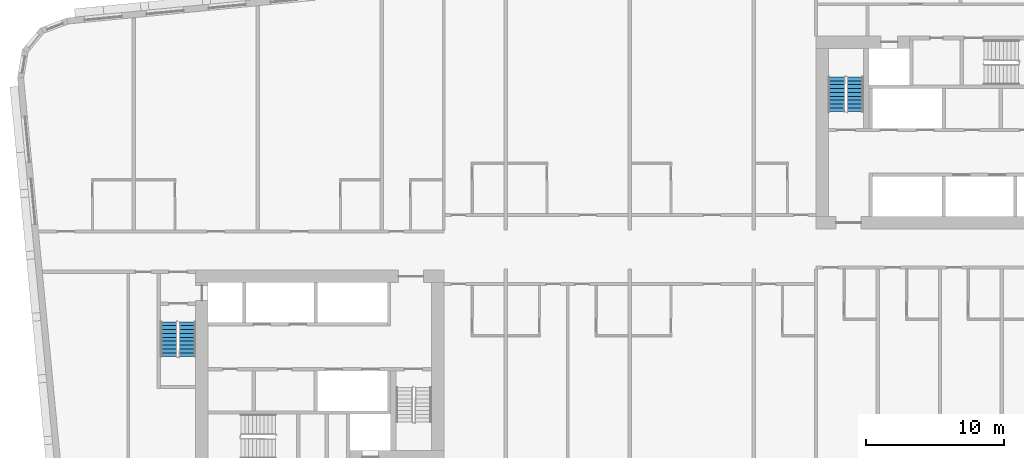
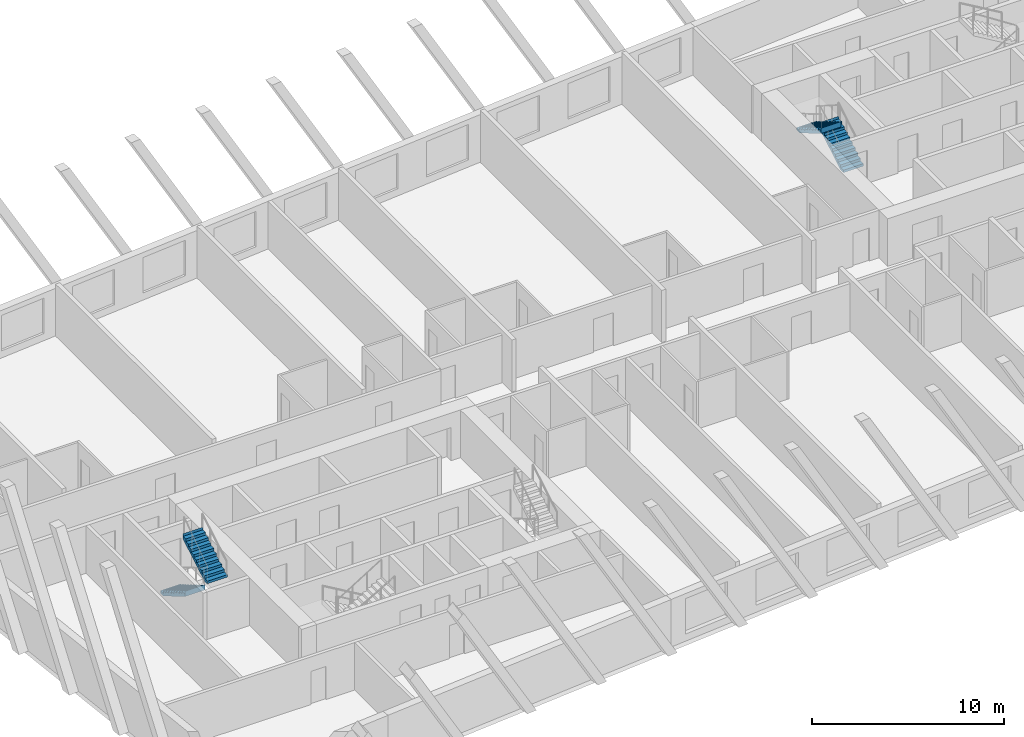
# One storey, part 10 of 13: 4 stair flights, 2 elements without a shape of their own.
"""IFC4 building model written with IfcOpenShell, lengths in metres."""

import ifcopenshell
import ifcopenshell.guid

model = None  # the IFC model being written
_history = None  # IfcOwnerHistory: only IFC2X3 demands one
_inside = {}  # id of a spatial element -> (the spatial element, [elements in it])
_under = {}  # id of a project, library or spatial element -> (it, [spatial elements below it])
_declared = {}  # id of a project -> (the project, [libraries it declares])
_typed = {}  # id of a type object -> (the type object, [elements of that type])
_made_of = {}  # id of a material, layer set ... -> (it, [elements and type objects made of it])


def new_model(schema):
    """Start an empty IFC model of exactly this schema.

    Asked for "IFC4X3", IfcOpenShell would pick the latest addendum, in which some entities
    have other attributes; the version numbers below select the first issue.
    IFC2X3 requires an IfcOwnerHistory on every rooted entity: one is made here for all.
    """
    global model, _history
    if schema == "IFC4X3":
        model = ifcopenshell.file(schema_version=(4, 3, 0, 0))
    else:
        model = ifcopenshell.file(schema=schema)
    _inside.clear()
    _under.clear()
    _declared.clear()
    _typed.clear()
    _made_of.clear()
    _history = None
    if model.schema == "IFC2X3":
        org = make("IfcOrganization", Name="unknown")
        user = make(
            "IfcPersonAndOrganization",
            ThePerson=make("IfcPerson", FamilyName="unknown"),
            TheOrganization=org,
        )
        app = make(
            "IfcApplication",
            ApplicationDeveloper=org,
            Version="unknown",
            ApplicationFullName="unknown",
            ApplicationIdentifier="unknown",
        )
        _history = make(
            "IfcOwnerHistory",
            OwningUser=user,
            OwningApplication=app,
            ChangeAction="ADDED",
            CreationDate=0,
        )
    return model


def make(cls, **values):
    """One entity of the class cls with the attributes given. An attribute that is None is left unset."""
    return model.create_entity(
        cls, **{name: value for name, value in values.items() if value is not None}
    )


def rooted(cls, **values):
    """An entity with a GlobalId (a new one), such as an element, a storey or a relation."""
    return make(cls, GlobalId=ifcopenshell.guid.new(), OwnerHistory=_history, **values)


def si_unit(unit_type, name, prefix=None):
    """IfcSIUnit, for example si_unit("LENGTHUNIT", "METRE", prefix="MILLI")."""
    return make("IfcSIUnit", UnitType=unit_type, Prefix=prefix, Name=name)


def assignment(units):
    """IfcUnitAssignment: the units of a project."""
    return None if units is None else make("IfcUnitAssignment", Units=units)


def point(xyz):
    """IfcCartesianPoint."""
    return None if xyz is None else make("IfcCartesianPoint", Coordinates=xyz)


def direction(xyz):
    """IfcDirection."""
    return None if xyz is None else make("IfcDirection", DirectionRatios=xyz)


def frame(location, z_axis=None, x_axis=None):
    """IfcAxis2Placement3D, a coordinate frame: its origin and axes. An axis left out is left unset."""
    return make(
        "IfcAxis2Placement3D",
        Location=point(location),
        Axis=direction(z_axis),
        RefDirection=direction(x_axis),
    )


def origin():
    """The frame at (0, 0, 0) with its axes left unset."""
    return frame((0.0, 0.0, 0.0))


def place(relative_to, where):
    """IfcLocalPlacement: puts the frame where relative to a parent placement (None: the world)."""
    return make(
        "IfcLocalPlacement", PlacementRelTo=relative_to, RelativePlacement=where
    )


def context(
    kind, dimensions, precision=None, world=None, true_north=None, identifier=None
):
    """IfcGeometricRepresentationContext, for example the 3D "Model" context."""
    return make(
        "IfcGeometricRepresentationContext",
        ContextIdentifier=identifier,
        ContextType=kind,
        CoordinateSpaceDimension=dimensions,
        Precision=precision,
        WorldCoordinateSystem=world,
        TrueNorth=true_north,
    )


def subcontext(parent, identifier, kind, view, scale=None):
    """IfcGeometricRepresentationSubContext, for example "Body" below "Model"."""
    return make(
        "IfcGeometricRepresentationSubContext",
        ContextIdentifier=identifier,
        ContextType=kind,
        ParentContext=parent,
        TargetScale=scale,
        TargetView=view,
    )


def project(units=None, contexts=None):
    """IfcProject with its units and contexts."""
    return rooted(
        "IfcProject",
        Name="project",
        RepresentationContexts=contexts,
        UnitsInContext=assignment(units),
    )


def spatial(cls, under=None, at=None, **own):
    """A site, building, storey or space (cls), placed at a placement, below another one or the project."""
    s = rooted(cls, ObjectPlacement=at, **own)
    if under is not None:
        _under.setdefault(under.id(), (under, []))[1].append(s)
    return s


def faces_of(points, faces, orient=None, outer=None):
    """IfcFace entities. A face is a list of loops; a loop is a list of indices into points, from 0.

    orient and outer hold one flag for each loop. By default every Orientation is true, the
    first loop of a face is its IfcFaceOuterBound and the others are IfcFaceBound.
    """
    made = []
    for i, loops in enumerate(faces):
        bounds = []
        for j, loop in enumerate(loops):
            is_outer = j == 0 if outer is None else outer[i][j]
            bounds.append(
                make(
                    "IfcFaceOuterBound" if is_outer else "IfcFaceBound",
                    Bound=make("IfcPolyLoop", Polygon=[points[k] for k in loop]),
                    Orientation=True if orient is None else orient[i][j],
                )
            )
        made.append(make("IfcFace", Bounds=bounds))
    return made


def faceted_brep(points, faces, orient=None, outer=None, voids=None):
    """IfcFacetedBrep: a solid bounded by flat faces; with voids (closed shells), ...WithVoids."""
    shared = [point(p) for p in points]
    hull = make("IfcClosedShell", CfsFaces=faces_of(shared, faces, orient, outer))
    if voids is None:
        return make("IfcFacetedBrep", Outer=hull)
    return make(
        "IfcFacetedBrepWithVoids",
        Outer=hull,
        Voids=[
            make(cls, CfsFaces=faces_of(shared, fs, o, b)) for cls, fs, o, b in voids
        ],
    )


def shape(context_of_items, identifier, shape_type, items):
    """IfcShapeRepresentation: the items that make up one representation, for example the "Body"."""
    return make(
        "IfcShapeRepresentation",
        ContextOfItems=context_of_items,
        RepresentationIdentifier=identifier,
        RepresentationType=shape_type,
        Items=items,
    )


def material(Name=None, Category=None):
    """IfcMaterial."""
    return make("IfcMaterial", Name=Name, Category=Category)


def made_of(thing, what):
    """Note that an element or type object is made of a material, layer set ...; save() writes the relation."""
    if what is not None:
        _made_of.setdefault(what.id(), (what, []))[1].append(thing)
    return thing


def type_object(cls, material=None, **own):
    """A type object (cls), such as IfcWallType, which elements share."""
    return made_of(rooted(cls, **own), material)


def element(
    cls,
    number,
    at=None,
    inside=None,
    cuts=None,
    type_object=None,
    material=None,
    context=None,
    identifier="Body",
    shape_type=None,
    held_by="IfcProductDefinitionShape",
    body=None,
    shapes=None,
    **own,
):
    """One element of the class cls, such as IfcWall. Its Tag is "e" and its number.

    at: its placement. inside: the storey or other place that contains it. cuts: it is an
    opening in that element (IfcRelVoidsElement). A single representation is given by context,
    identifier, shape_type and body (its items); several are given by shapes. held_by: the class
    of the entity that holds the representations. save() writes the other relations.
    """
    e = rooted(cls, Tag="e%d" % number, ObjectPlacement=at, **own)
    if body is not None:
        shapes = [shape(context, identifier, shape_type, body)]
    if shapes is not None:
        e.Representation = make(held_by, Representations=shapes)
    if inside is not None:
        _inside.setdefault(inside.id(), (inside, []))[1].append(e)
    if cuts is not None:
        rooted(
            "IfcRelVoidsElement", RelatingBuildingElement=cuts, RelatedOpeningElement=e
        )
    if type_object is not None:
        _typed.setdefault(type_object.id(), (type_object, []))[1].append(e)
    return made_of(e, material)


def aggregate(whole, parts):
    """IfcRelAggregates: a whole, such as a stair, and the parts it consists of."""
    return rooted("IfcRelAggregates", RelatingObject=whole, RelatedObjects=parts)


def save(model, path):
    """Write the relations noted so far, then the file.

    IfcRelAggregates (storeys below a building ...), IfcRelContainedInSpatialStructure (elements
    in a storey), IfcRelDefinesByType, IfcRelAssociatesMaterial and IfcRelDeclares: one each for
    every whole, place, type object, material and project.
    """
    for whole, parts in _under.values():
        aggregate(whole, parts)
    for where, things in _inside.values():
        rooted(
            "IfcRelContainedInSpatialStructure",
            RelatedElements=things,
            RelatingStructure=where,
        )
    for kind, things in _typed.values():
        rooted("IfcRelDefinesByType", RelatedObjects=things, RelatingType=kind)
    for what, things in _made_of.values():
        rooted("IfcRelAssociatesMaterial", RelatedObjects=things, RelatingMaterial=what)
    for by, libraries in _declared.values():
        rooted("IfcRelDeclares", RelatingContext=by, RelatedDefinitions=libraries)
    model.write(path)


model = new_model("IFC4")

# Units and contexts
model_context = context("Model", 3, precision=1e-05, world=origin(), true_north=direction((0.0, 1.0)))
body_context = subcontext(model_context, "Body", "Model", "MODEL_VIEW")
ifc_project = project(units=[si_unit("LENGTHUNIT", "METRE"), si_unit("AREAUNIT", "SQUARE_METRE"), si_unit("VOLUMEUNIT", "CUBIC_METRE"), si_unit("PLANEANGLEUNIT", "RADIAN"), si_unit("MASSUNIT", "GRAM", prefix="KILO")], contexts=[model_context])

# Site, building, storey
site_placement = place(None, origin())
site = spatial("IfcSite", under=ifc_project, at=site_placement, CompositionType="ELEMENT")
building_placement = place(site_placement, origin())
building = spatial("IfcBuilding", under=site, at=building_placement, Name="Kajstack Hotel Tower", CompositionType="ELEMENT")
storey_placement = place(building_placement, frame((0.0, 0.0, 186.699951171875)))
storey = spatial("IfcBuildingStorey", under=building, at=storey_placement, Name="L44", CompositionType="ELEMENT", Elevation=186.699951171875)

# Stair, stair flights
ifc_material = material(Name="Concrete C40/50", Category="concrete")
stair_type = type_object("IfcStairType", Name="Exit stair 1200", PredefinedType="HALF_TURN_STAIR", material=ifc_material)
stair_1_placement = place(storey_placement, origin())
stair_1 = element("IfcStair", 1, at=stair_1_placement, inside=storey, type_object=stair_type, Name="L44 stair W1", PredefinedType="HALF_TURN_STAIR")
stair_flight_type = type_object("IfcStairFlightType", Name="Exit stair flight 1200", PredefinedType="STRAIGHT", material=ifc_material)
stair_flight_1_placement = place(storey_placement, frame((-33.449951171875, -5.25, 0.0), z_axis=(0.0, 0.0, 1.0), x_axis=(0.0, -1.0, 0.0)))
stair_flight_1 = element("IfcStairFlight", 2, at=stair_flight_1_placement, type_object=stair_flight_type, Name="W1 flight 1", NumberOfRisers=10, NumberOfTreads=9, PredefinedType="STRAIGHT", RiserHeight=0.165, TreadLength=0.28, context=body_context, shape_type="Brep", body=[
    faceted_brep([(0.295654296875, -0.60009765625, 0.0), (2.5205078125, -0.60009765625, 1.31103515625), (2.5205078125, -0.60009765625, 1.64990234375), (2.52001953125, -0.60009765625, 1.64990234375), (2.52001953125, -0.60009765625, 1.485107421875), (2.239990234375, -0.60009765625, 1.485107421875), (2.239990234375, -0.60009765625, 1.320068359375), (1.9599609375, -0.60009765625, 1.320068359375), (1.9599609375, -0.60009765625, 1.155029296875), (1.679931640625, -0.60009765625, 1.155029296875), (1.679931640625, -0.60009765625, 0.989990234375), (1.39990234375, -0.60009765625, 0.989990234375), (1.39990234375, -0.60009765625, 0.824951171875), (1.1201171875, -0.60009765625, 0.824951171875), (1.1201171875, -0.60009765625, 0.659912109375), (0.840087890625, -0.60009765625, 0.659912109375), (0.840087890625, -0.60009765625, 0.4951171875), (0.56005859375, -0.60009765625, 0.4951171875), (0.56005859375, -0.60009765625, 0.330078125), (0.280029296875, -0.60009765625, 0.330078125), (0.280029296875, -0.60009765625, 0.1650390625), (-0.00048828125, -0.60009765625, 0.1650390625), (-0.00048828125, -0.60009765625, 0.0), (-0.00048828125, 0.60009765625, 0.0), (-0.00048828125, 0.60009765625, 0.1650390625), (0.280029296875, 0.60009765625, 0.1650390625), (0.280029296875, 0.60009765625, 0.330078125), (0.56005859375, 0.60009765625, 0.330078125), (0.56005859375, 0.60009765625, 0.4951171875), (0.840087890625, 0.60009765625, 0.4951171875), (0.840087890625, 0.60009765625, 0.659912109375), (1.1201171875, 0.60009765625, 0.659912109375), (1.1201171875, 0.60009765625, 0.824951171875), (1.39990234375, 0.60009765625, 0.824951171875), (1.39990234375, 0.60009765625, 0.989990234375), (1.679931640625, 0.60009765625, 0.989990234375), (1.679931640625, 0.60009765625, 1.155029296875), (1.9599609375, 0.60009765625, 1.155029296875), (1.9599609375, 0.60009765625, 1.320068359375), (2.239990234375, 0.60009765625, 1.320068359375), (2.239990234375, 0.60009765625, 1.485107421875), (2.52001953125, 0.60009765625, 1.485107421875), (2.52001953125, 0.60009765625, 1.64990234375), (2.5205078125, 0.60009765625, 1.64990234375), (2.5205078125, 0.60009765625, 1.31103515625), (0.295654296875, 0.60009765625, 0.0), (-0.00048828125, -0.300048828125, 0.1650390625), (-0.00048828125, 0.0, 0.1650390625), (-0.00048828125, 0.300048828125, 0.1650390625), (-0.00048828125, 0.300048828125, 0.0), (-0.00048828125, 0.0, 0.0), (-0.00048828125, -0.300048828125, 0.0), (0.280029296875, -0.300048828125, 0.1650390625), (0.280029296875, 0.0, 0.1650390625), (0.280029296875, 0.300048828125, 0.1650390625), (0.280029296875, -0.300048828125, 0.330078125), (0.280029296875, 0.0, 0.330078125), (0.280029296875, 0.300048828125, 0.330078125), (0.56005859375, -0.300048828125, 0.330078125), (0.56005859375, 0.0, 0.330078125), (0.56005859375, 0.300048828125, 0.330078125), (0.56005859375, -0.300048828125, 0.4951171875), (0.56005859375, 0.0, 0.4951171875), (0.56005859375, 0.300048828125, 0.4951171875), (0.840087890625, -0.300048828125, 0.4951171875), (0.840087890625, 0.0, 0.4951171875), (0.840087890625, 0.300048828125, 0.4951171875), (0.840087890625, -0.300048828125, 0.659912109375), (0.840087890625, 0.0, 0.659912109375), (0.840087890625, 0.300048828125, 0.659912109375), (1.1201171875, -0.300048828125, 0.659912109375), (1.1201171875, 0.0, 0.659912109375), (1.1201171875, 0.300048828125, 0.659912109375), (1.1201171875, -0.300048828125, 0.824951171875), (1.1201171875, 0.0, 0.824951171875), (1.1201171875, 0.300048828125, 0.824951171875), (1.39990234375, -0.300048828125, 0.824951171875), (1.39990234375, 0.0, 0.824951171875), (1.39990234375, 0.300048828125, 0.824951171875), (1.39990234375, -0.300048828125, 0.989990234375), (1.39990234375, 0.0, 0.989990234375), (1.39990234375, 0.300048828125, 0.989990234375), (1.679931640625, -0.300048828125, 0.989990234375), (1.679931640625, 0.0, 0.989990234375), (1.679931640625, 0.300048828125, 0.989990234375), (1.679931640625, -0.300048828125, 1.155029296875), (1.679931640625, 0.0, 1.155029296875), (1.679931640625, 0.300048828125, 1.155029296875), (1.9599609375, -0.300048828125, 1.155029296875), (1.9599609375, 0.0, 1.155029296875), (1.9599609375, 0.300048828125, 1.155029296875), (1.9599609375, -0.300048828125, 1.320068359375), (1.9599609375, 0.0, 1.320068359375), (1.9599609375, 0.300048828125, 1.320068359375), (2.239990234375, -0.300048828125, 1.320068359375), (2.239990234375, 0.0, 1.320068359375), (2.239990234375, 0.300048828125, 1.320068359375), (2.239990234375, -0.300048828125, 1.485107421875), (2.239990234375, 0.0, 1.485107421875), (2.239990234375, 0.300048828125, 1.485107421875), (2.52001953125, -0.300048828125, 1.485107421875), (2.52001953125, 0.0, 1.485107421875), (2.52001953125, 0.300048828125, 1.485107421875), (2.52001953125, -0.300048828125, 1.64990234375), (2.52001953125, 0.0, 1.64990234375), (2.52001953125, 0.300048828125, 1.64990234375), (2.5205078125, -0.300048828125, 1.64990234375), (2.5205078125, 0.0, 1.64990234375), (2.5205078125, 0.300048828125, 1.64990234375), (2.5205078125, -0.300048828125, 1.31103515625), (2.5205078125, 0.0, 1.31103515625), (2.5205078125, 0.300048828125, 1.31103515625), (0.295654296875, -0.300048828125, 0.0), (0.295654296875, 0.0, 0.0), (0.295654296875, 0.300048828125, 0.0)], [[[0, 1, 2, 3, 4, 5, 6, 7, 8, 9, 10, 11, 12, 13, 14, 15, 16, 17, 18, 19, 20, 21, 22]], [[23, 24, 25, 26, 27, 28, 29, 30, 31, 32, 33, 34, 35, 36, 37, 38, 39, 40, 41, 42, 43, 44, 45]], [[21, 46, 47, 48, 24, 23, 49, 50, 51, 22]], [[20, 52, 53, 54, 25, 24, 48, 47, 46, 21]], [[19, 55, 56, 57, 26, 25, 54, 53, 52, 20]], [[18, 58, 59, 60, 27, 26, 57, 56, 55, 19]], [[17, 61, 62, 63, 28, 27, 60, 59, 58, 18]], [[16, 64, 65, 66, 29, 28, 63, 62, 61, 17]], [[15, 67, 68, 69, 30, 29, 66, 65, 64, 16]], [[14, 70, 71, 72, 31, 30, 69, 68, 67, 15]], [[13, 73, 74, 75, 32, 31, 72, 71, 70, 14]], [[12, 76, 77, 78, 33, 32, 75, 74, 73, 13]], [[11, 79, 80, 81, 34, 33, 78, 77, 76, 12]], [[10, 82, 83, 84, 35, 34, 81, 80, 79, 11]], [[9, 85, 86, 87, 36, 35, 84, 83, 82, 10]], [[8, 88, 89, 90, 37, 36, 87, 86, 85, 9]], [[7, 91, 92, 93, 38, 37, 90, 89, 88, 8]], [[6, 94, 95, 96, 39, 38, 93, 92, 91, 7]], [[5, 97, 98, 99, 40, 39, 96, 95, 94, 6]], [[4, 100, 101, 102, 41, 40, 99, 98, 97, 5]], [[3, 103, 104, 105, 42, 41, 102, 101, 100, 4]], [[2, 106, 107, 108, 43, 42, 105, 104, 103, 3]], [[1, 109, 110, 111, 44, 43, 108, 107, 106, 2]], [[0, 112, 113, 114, 45, 44, 111, 110, 109, 1]], [[22, 51, 50, 49, 23, 45, 114, 113, 112, 0]]]),
])
stair_flight_2_placement = place(storey_placement, frame((-32.10009765625, -7.77001953125, 1.650146484375), z_axis=(0.0, 0.0, 1.0), x_axis=(0.0, 1.0, 0.0)))
stair_flight_2 = element("IfcStairFlight", 3, at=stair_flight_2_placement, type_object=stair_flight_type, Name="W1 flight 2", NumberOfRisers=10, NumberOfTreads=9, PredefinedType="STRAIGHT", RiserHeight=0.165, TreadLength=0.28, context=body_context, shape_type="Brep", body=[
    faceted_brep([(0.295654296875, -0.60009765625, 0.0), (2.5205078125, -0.60009765625, 1.31103515625), (2.5205078125, -0.60009765625, 1.64990234375), (2.52001953125, -0.60009765625, 1.64990234375), (2.52001953125, -0.60009765625, 1.485107421875), (2.239990234375, -0.60009765625, 1.485107421875), (2.239990234375, -0.60009765625, 1.320068359375), (1.9599609375, -0.60009765625, 1.320068359375), (1.9599609375, -0.60009765625, 1.155029296875), (1.679931640625, -0.60009765625, 1.155029296875), (1.679931640625, -0.60009765625, 0.989990234375), (1.39990234375, -0.60009765625, 0.989990234375), (1.39990234375, -0.60009765625, 0.824951171875), (1.1201171875, -0.60009765625, 0.824951171875), (1.1201171875, -0.60009765625, 0.659912109375), (0.840087890625, -0.60009765625, 0.659912109375), (0.840087890625, -0.60009765625, 0.4951171875), (0.56005859375, -0.60009765625, 0.4951171875), (0.56005859375, -0.60009765625, 0.330078125), (0.280029296875, -0.60009765625, 0.330078125), (0.280029296875, -0.60009765625, 0.1650390625), (-0.00048828125, -0.60009765625, 0.1650390625), (-0.00048828125, -0.60009765625, 0.0), (-0.00048828125, 0.60009765625, 0.0), (-0.00048828125, 0.60009765625, 0.1650390625), (0.280029296875, 0.60009765625, 0.1650390625), (0.280029296875, 0.60009765625, 0.330078125), (0.56005859375, 0.60009765625, 0.330078125), (0.56005859375, 0.60009765625, 0.4951171875), (0.840087890625, 0.60009765625, 0.4951171875), (0.840087890625, 0.60009765625, 0.659912109375), (1.1201171875, 0.60009765625, 0.659912109375), (1.1201171875, 0.60009765625, 0.824951171875), (1.39990234375, 0.60009765625, 0.824951171875), (1.39990234375, 0.60009765625, 0.989990234375), (1.679931640625, 0.60009765625, 0.989990234375), (1.679931640625, 0.60009765625, 1.155029296875), (1.9599609375, 0.60009765625, 1.155029296875), (1.9599609375, 0.60009765625, 1.320068359375), (2.239990234375, 0.60009765625, 1.320068359375), (2.239990234375, 0.60009765625, 1.485107421875), (2.52001953125, 0.60009765625, 1.485107421875), (2.52001953125, 0.60009765625, 1.64990234375), (2.5205078125, 0.60009765625, 1.64990234375), (2.5205078125, 0.60009765625, 1.31103515625), (0.295654296875, 0.60009765625, 0.0), (-0.00048828125, -0.300048828125, 0.1650390625), (-0.00048828125, 0.0, 0.1650390625), (-0.00048828125, 0.300048828125, 0.1650390625), (-0.00048828125, 0.300048828125, 0.0), (-0.00048828125, 0.0, 0.0), (-0.00048828125, -0.300048828125, 0.0), (0.280029296875, -0.300048828125, 0.1650390625), (0.280029296875, 0.0, 0.1650390625), (0.280029296875, 0.300048828125, 0.1650390625), (0.280029296875, -0.300048828125, 0.330078125), (0.280029296875, 0.0, 0.330078125), (0.280029296875, 0.300048828125, 0.330078125), (0.56005859375, -0.300048828125, 0.330078125), (0.56005859375, 0.0, 0.330078125), (0.56005859375, 0.300048828125, 0.330078125), (0.56005859375, -0.300048828125, 0.4951171875), (0.56005859375, 0.0, 0.4951171875), (0.56005859375, 0.300048828125, 0.4951171875), (0.840087890625, -0.300048828125, 0.4951171875), (0.840087890625, 0.0, 0.4951171875), (0.840087890625, 0.300048828125, 0.4951171875), (0.840087890625, -0.300048828125, 0.659912109375), (0.840087890625, 0.0, 0.659912109375), (0.840087890625, 0.300048828125, 0.659912109375), (1.1201171875, -0.300048828125, 0.659912109375), (1.1201171875, 0.0, 0.659912109375), (1.1201171875, 0.300048828125, 0.659912109375), (1.1201171875, -0.300048828125, 0.824951171875), (1.1201171875, 0.0, 0.824951171875), (1.1201171875, 0.300048828125, 0.824951171875), (1.39990234375, -0.300048828125, 0.824951171875), (1.39990234375, 0.0, 0.824951171875), (1.39990234375, 0.300048828125, 0.824951171875), (1.39990234375, -0.300048828125, 0.989990234375), (1.39990234375, 0.0, 0.989990234375), (1.39990234375, 0.300048828125, 0.989990234375), (1.679931640625, -0.300048828125, 0.989990234375), (1.679931640625, 0.0, 0.989990234375), (1.679931640625, 0.300048828125, 0.989990234375), (1.679931640625, -0.300048828125, 1.155029296875), (1.679931640625, 0.0, 1.155029296875), (1.679931640625, 0.300048828125, 1.155029296875), (1.9599609375, -0.300048828125, 1.155029296875), (1.9599609375, 0.0, 1.155029296875), (1.9599609375, 0.300048828125, 1.155029296875), (1.9599609375, -0.300048828125, 1.320068359375), (1.9599609375, 0.0, 1.320068359375), (1.9599609375, 0.300048828125, 1.320068359375), (2.239990234375, -0.300048828125, 1.320068359375), (2.239990234375, 0.0, 1.320068359375), (2.239990234375, 0.300048828125, 1.320068359375), (2.239990234375, -0.300048828125, 1.485107421875), (2.239990234375, 0.0, 1.485107421875), (2.239990234375, 0.300048828125, 1.485107421875), (2.52001953125, -0.300048828125, 1.485107421875), (2.52001953125, 0.0, 1.485107421875), (2.52001953125, 0.300048828125, 1.485107421875), (2.52001953125, -0.300048828125, 1.64990234375), (2.52001953125, 0.0, 1.64990234375), (2.52001953125, 0.300048828125, 1.64990234375), (2.5205078125, -0.300048828125, 1.64990234375), (2.5205078125, 0.0, 1.64990234375), (2.5205078125, 0.300048828125, 1.64990234375), (2.5205078125, -0.300048828125, 1.31103515625), (2.5205078125, 0.0, 1.31103515625), (2.5205078125, 0.300048828125, 1.31103515625), (0.295654296875, -0.300048828125, 0.0), (0.295654296875, 0.0, 0.0), (0.295654296875, 0.300048828125, 0.0)], [[[0, 1, 2, 3, 4, 5, 6, 7, 8, 9, 10, 11, 12, 13, 14, 15, 16, 17, 18, 19, 20, 21, 22]], [[23, 24, 25, 26, 27, 28, 29, 30, 31, 32, 33, 34, 35, 36, 37, 38, 39, 40, 41, 42, 43, 44, 45]], [[21, 46, 47, 48, 24, 23, 49, 50, 51, 22]], [[20, 52, 53, 54, 25, 24, 48, 47, 46, 21]], [[19, 55, 56, 57, 26, 25, 54, 53, 52, 20]], [[18, 58, 59, 60, 27, 26, 57, 56, 55, 19]], [[17, 61, 62, 63, 28, 27, 60, 59, 58, 18]], [[16, 64, 65, 66, 29, 28, 63, 62, 61, 17]], [[15, 67, 68, 69, 30, 29, 66, 65, 64, 16]], [[14, 70, 71, 72, 31, 30, 69, 68, 67, 15]], [[13, 73, 74, 75, 32, 31, 72, 71, 70, 14]], [[12, 76, 77, 78, 33, 32, 75, 74, 73, 13]], [[11, 79, 80, 81, 34, 33, 78, 77, 76, 12]], [[10, 82, 83, 84, 35, 34, 81, 80, 79, 11]], [[9, 85, 86, 87, 36, 35, 84, 83, 82, 10]], [[8, 88, 89, 90, 37, 36, 87, 86, 85, 9]], [[7, 91, 92, 93, 38, 37, 90, 89, 88, 8]], [[6, 94, 95, 96, 39, 38, 93, 92, 91, 7]], [[5, 97, 98, 99, 40, 39, 96, 95, 94, 6]], [[4, 100, 101, 102, 41, 40, 99, 98, 97, 5]], [[3, 103, 104, 105, 42, 41, 102, 101, 100, 4]], [[2, 106, 107, 108, 43, 42, 105, 104, 103, 3]], [[1, 109, 110, 111, 44, 43, 108, 107, 106, 2]], [[0, 112, 113, 114, 45, 44, 111, 110, 109, 1]], [[22, 51, 50, 49, 23, 45, 114, 113, 112, 0]]]),
])
aggregate(stair_1, [stair_flight_1, stair_flight_2])

stair_2_placement = place(storey_placement, origin())
stair_2 = element("IfcStair", 4, at=stair_2_placement, inside=storey, type_object=stair_type, Name="L44 stair E2", PredefinedType="HALF_TURN_STAIR")
stair_flight_3_placement = place(storey_placement, frame((16.35009765625, 10.0, 0.0), z_axis=(0.0, 0.0, 1.0), x_axis=(0.0, 1.0, 0.0)))
stair_flight_3 = element("IfcStairFlight", 5, at=stair_flight_3_placement, type_object=stair_flight_type, Name="E2 flight 1", NumberOfRisers=10, NumberOfTreads=9, PredefinedType="STRAIGHT", RiserHeight=0.165, TreadLength=0.28, context=body_context, shape_type="Brep", body=[
    faceted_brep([(0.295654296875, -0.60009765625, 0.0), (2.5205078125, -0.60009765625, 1.31103515625), (2.5205078125, -0.60009765625, 1.64990234375), (2.52001953125, -0.60009765625, 1.64990234375), (2.52001953125, -0.60009765625, 1.485107421875), (2.239990234375, -0.60009765625, 1.485107421875), (2.239990234375, -0.60009765625, 1.320068359375), (1.9599609375, -0.60009765625, 1.320068359375), (1.9599609375, -0.60009765625, 1.155029296875), (1.679931640625, -0.60009765625, 1.155029296875), (1.679931640625, -0.60009765625, 0.989990234375), (1.39990234375, -0.60009765625, 0.989990234375), (1.39990234375, -0.60009765625, 0.824951171875), (1.1201171875, -0.60009765625, 0.824951171875), (1.1201171875, -0.60009765625, 0.659912109375), (0.840087890625, -0.60009765625, 0.659912109375), (0.840087890625, -0.60009765625, 0.4951171875), (0.56005859375, -0.60009765625, 0.4951171875), (0.56005859375, -0.60009765625, 0.330078125), (0.280029296875, -0.60009765625, 0.330078125), (0.280029296875, -0.60009765625, 0.1650390625), (-0.00048828125, -0.60009765625, 0.1650390625), (-0.00048828125, -0.60009765625, 0.0), (-0.00048828125, 0.60009765625, 0.0), (-0.00048828125, 0.60009765625, 0.1650390625), (0.280029296875, 0.60009765625, 0.1650390625), (0.280029296875, 0.60009765625, 0.330078125), (0.56005859375, 0.60009765625, 0.330078125), (0.56005859375, 0.60009765625, 0.4951171875), (0.840087890625, 0.60009765625, 0.4951171875), (0.840087890625, 0.60009765625, 0.659912109375), (1.1201171875, 0.60009765625, 0.659912109375), (1.1201171875, 0.60009765625, 0.824951171875), (1.39990234375, 0.60009765625, 0.824951171875), (1.39990234375, 0.60009765625, 0.989990234375), (1.679931640625, 0.60009765625, 0.989990234375), (1.679931640625, 0.60009765625, 1.155029296875), (1.9599609375, 0.60009765625, 1.155029296875), (1.9599609375, 0.60009765625, 1.320068359375), (2.239990234375, 0.60009765625, 1.320068359375), (2.239990234375, 0.60009765625, 1.485107421875), (2.52001953125, 0.60009765625, 1.485107421875), (2.52001953125, 0.60009765625, 1.64990234375), (2.5205078125, 0.60009765625, 1.64990234375), (2.5205078125, 0.60009765625, 1.31103515625), (0.295654296875, 0.60009765625, 0.0), (-0.00048828125, -0.300048828125, 0.1650390625), (-0.00048828125, 0.0, 0.1650390625), (-0.00048828125, 0.300048828125, 0.1650390625), (-0.00048828125, 0.300048828125, 0.0), (-0.00048828125, 0.0, 0.0), (-0.00048828125, -0.300048828125, 0.0), (0.280029296875, -0.300048828125, 0.1650390625), (0.280029296875, 0.0, 0.1650390625), (0.280029296875, 0.300048828125, 0.1650390625), (0.280029296875, -0.300048828125, 0.330078125), (0.280029296875, 0.0, 0.330078125), (0.280029296875, 0.300048828125, 0.330078125), (0.56005859375, -0.300048828125, 0.330078125), (0.56005859375, 0.0, 0.330078125), (0.56005859375, 0.300048828125, 0.330078125), (0.56005859375, -0.300048828125, 0.4951171875), (0.56005859375, 0.0, 0.4951171875), (0.56005859375, 0.300048828125, 0.4951171875), (0.840087890625, -0.300048828125, 0.4951171875), (0.840087890625, 0.0, 0.4951171875), (0.840087890625, 0.300048828125, 0.4951171875), (0.840087890625, -0.300048828125, 0.659912109375), (0.840087890625, 0.0, 0.659912109375), (0.840087890625, 0.300048828125, 0.659912109375), (1.1201171875, -0.300048828125, 0.659912109375), (1.1201171875, 0.0, 0.659912109375), (1.1201171875, 0.300048828125, 0.659912109375), (1.1201171875, -0.300048828125, 0.824951171875), (1.1201171875, 0.0, 0.824951171875), (1.1201171875, 0.300048828125, 0.824951171875), (1.39990234375, -0.300048828125, 0.824951171875), (1.39990234375, 0.0, 0.824951171875), (1.39990234375, 0.300048828125, 0.824951171875), (1.39990234375, -0.300048828125, 0.989990234375), (1.39990234375, 0.0, 0.989990234375), (1.39990234375, 0.300048828125, 0.989990234375), (1.679931640625, -0.300048828125, 0.989990234375), (1.679931640625, 0.0, 0.989990234375), (1.679931640625, 0.300048828125, 0.989990234375), (1.679931640625, -0.300048828125, 1.155029296875), (1.679931640625, 0.0, 1.155029296875), (1.679931640625, 0.300048828125, 1.155029296875), (1.9599609375, -0.300048828125, 1.155029296875), (1.9599609375, 0.0, 1.155029296875), (1.9599609375, 0.300048828125, 1.155029296875), (1.9599609375, -0.300048828125, 1.320068359375), (1.9599609375, 0.0, 1.320068359375), (1.9599609375, 0.300048828125, 1.320068359375), (2.239990234375, -0.300048828125, 1.320068359375), (2.239990234375, 0.0, 1.320068359375), (2.239990234375, 0.300048828125, 1.320068359375), (2.239990234375, -0.300048828125, 1.485107421875), (2.239990234375, 0.0, 1.485107421875), (2.239990234375, 0.300048828125, 1.485107421875), (2.52001953125, -0.300048828125, 1.485107421875), (2.52001953125, 0.0, 1.485107421875), (2.52001953125, 0.300048828125, 1.485107421875), (2.52001953125, -0.300048828125, 1.64990234375), (2.52001953125, 0.0, 1.64990234375), (2.52001953125, 0.300048828125, 1.64990234375), (2.5205078125, -0.300048828125, 1.64990234375), (2.5205078125, 0.0, 1.64990234375), (2.5205078125, 0.300048828125, 1.64990234375), (2.5205078125, -0.300048828125, 1.31103515625), (2.5205078125, 0.0, 1.31103515625), (2.5205078125, 0.300048828125, 1.31103515625), (0.295654296875, -0.300048828125, 0.0), (0.295654296875, 0.0, 0.0), (0.295654296875, 0.300048828125, 0.0)], [[[0, 1, 2, 3, 4, 5, 6, 7, 8, 9, 10, 11, 12, 13, 14, 15, 16, 17, 18, 19, 20, 21, 22]], [[23, 24, 25, 26, 27, 28, 29, 30, 31, 32, 33, 34, 35, 36, 37, 38, 39, 40, 41, 42, 43, 44, 45]], [[21, 46, 47, 48, 24, 23, 49, 50, 51, 22]], [[20, 52, 53, 54, 25, 24, 48, 47, 46, 21]], [[19, 55, 56, 57, 26, 25, 54, 53, 52, 20]], [[18, 58, 59, 60, 27, 26, 57, 56, 55, 19]], [[17, 61, 62, 63, 28, 27, 60, 59, 58, 18]], [[16, 64, 65, 66, 29, 28, 63, 62, 61, 17]], [[15, 67, 68, 69, 30, 29, 66, 65, 64, 16]], [[14, 70, 71, 72, 31, 30, 69, 68, 67, 15]], [[13, 73, 74, 75, 32, 31, 72, 71, 70, 14]], [[12, 76, 77, 78, 33, 32, 75, 74, 73, 13]], [[11, 79, 80, 81, 34, 33, 78, 77, 76, 12]], [[10, 82, 83, 84, 35, 34, 81, 80, 79, 11]], [[9, 85, 86, 87, 36, 35, 84, 83, 82, 10]], [[8, 88, 89, 90, 37, 36, 87, 86, 85, 9]], [[7, 91, 92, 93, 38, 37, 90, 89, 88, 8]], [[6, 94, 95, 96, 39, 38, 93, 92, 91, 7]], [[5, 97, 98, 99, 40, 39, 96, 95, 94, 6]], [[4, 100, 101, 102, 41, 40, 99, 98, 97, 5]], [[3, 103, 104, 105, 42, 41, 102, 101, 100, 4]], [[2, 106, 107, 108, 43, 42, 105, 104, 103, 3]], [[1, 109, 110, 111, 44, 43, 108, 107, 106, 2]], [[0, 112, 113, 114, 45, 44, 111, 110, 109, 1]], [[22, 51, 50, 49, 23, 45, 114, 113, 112, 0]]]),
])
stair_flight_4_placement = place(storey_placement, frame((15.0, 12.52001953125, 1.650146484375), z_axis=(0.0, 0.0, 1.0), x_axis=(0.0, -1.0, 0.0)))
stair_flight_4 = element("IfcStairFlight", 6, at=stair_flight_4_placement, type_object=stair_flight_type, Name="E2 flight 2", NumberOfRisers=10, NumberOfTreads=9, PredefinedType="STRAIGHT", RiserHeight=0.165, TreadLength=0.28, context=body_context, shape_type="Brep", body=[
    faceted_brep([(0.295654296875, -0.60009765625, 0.0), (2.5205078125, -0.60009765625, 1.31103515625), (2.5205078125, -0.60009765625, 1.64990234375), (2.52001953125, -0.60009765625, 1.64990234375), (2.52001953125, -0.60009765625, 1.485107421875), (2.239990234375, -0.60009765625, 1.485107421875), (2.239990234375, -0.60009765625, 1.320068359375), (1.9599609375, -0.60009765625, 1.320068359375), (1.9599609375, -0.60009765625, 1.155029296875), (1.679931640625, -0.60009765625, 1.155029296875), (1.679931640625, -0.60009765625, 0.989990234375), (1.39990234375, -0.60009765625, 0.989990234375), (1.39990234375, -0.60009765625, 0.824951171875), (1.1201171875, -0.60009765625, 0.824951171875), (1.1201171875, -0.60009765625, 0.659912109375), (0.840087890625, -0.60009765625, 0.659912109375), (0.840087890625, -0.60009765625, 0.4951171875), (0.56005859375, -0.60009765625, 0.4951171875), (0.56005859375, -0.60009765625, 0.330078125), (0.280029296875, -0.60009765625, 0.330078125), (0.280029296875, -0.60009765625, 0.1650390625), (-0.00048828125, -0.60009765625, 0.1650390625), (-0.00048828125, -0.60009765625, 0.0), (-0.00048828125, 0.60009765625, 0.0), (-0.00048828125, 0.60009765625, 0.1650390625), (0.280029296875, 0.60009765625, 0.1650390625), (0.280029296875, 0.60009765625, 0.330078125), (0.56005859375, 0.60009765625, 0.330078125), (0.56005859375, 0.60009765625, 0.4951171875), (0.840087890625, 0.60009765625, 0.4951171875), (0.840087890625, 0.60009765625, 0.659912109375), (1.1201171875, 0.60009765625, 0.659912109375), (1.1201171875, 0.60009765625, 0.824951171875), (1.39990234375, 0.60009765625, 0.824951171875), (1.39990234375, 0.60009765625, 0.989990234375), (1.679931640625, 0.60009765625, 0.989990234375), (1.679931640625, 0.60009765625, 1.155029296875), (1.9599609375, 0.60009765625, 1.155029296875), (1.9599609375, 0.60009765625, 1.320068359375), (2.239990234375, 0.60009765625, 1.320068359375), (2.239990234375, 0.60009765625, 1.485107421875), (2.52001953125, 0.60009765625, 1.485107421875), (2.52001953125, 0.60009765625, 1.64990234375), (2.5205078125, 0.60009765625, 1.64990234375), (2.5205078125, 0.60009765625, 1.31103515625), (0.295654296875, 0.60009765625, 0.0), (-0.00048828125, -0.300048828125, 0.1650390625), (-0.00048828125, 0.0, 0.1650390625), (-0.00048828125, 0.300048828125, 0.1650390625), (-0.00048828125, 0.300048828125, 0.0), (-0.00048828125, 0.0, 0.0), (-0.00048828125, -0.300048828125, 0.0), (0.280029296875, -0.300048828125, 0.1650390625), (0.280029296875, 0.0, 0.1650390625), (0.280029296875, 0.300048828125, 0.1650390625), (0.280029296875, -0.300048828125, 0.330078125), (0.280029296875, 0.0, 0.330078125), (0.280029296875, 0.300048828125, 0.330078125), (0.56005859375, -0.300048828125, 0.330078125), (0.56005859375, 0.0, 0.330078125), (0.56005859375, 0.300048828125, 0.330078125), (0.56005859375, -0.300048828125, 0.4951171875), (0.56005859375, 0.0, 0.4951171875), (0.56005859375, 0.300048828125, 0.4951171875), (0.840087890625, -0.300048828125, 0.4951171875), (0.840087890625, 0.0, 0.4951171875), (0.840087890625, 0.300048828125, 0.4951171875), (0.840087890625, -0.300048828125, 0.659912109375), (0.840087890625, 0.0, 0.659912109375), (0.840087890625, 0.300048828125, 0.659912109375), (1.1201171875, -0.300048828125, 0.659912109375), (1.1201171875, 0.0, 0.659912109375), (1.1201171875, 0.300048828125, 0.659912109375), (1.1201171875, -0.300048828125, 0.824951171875), (1.1201171875, 0.0, 0.824951171875), (1.1201171875, 0.300048828125, 0.824951171875), (1.39990234375, -0.300048828125, 0.824951171875), (1.39990234375, 0.0, 0.824951171875), (1.39990234375, 0.300048828125, 0.824951171875), (1.39990234375, -0.300048828125, 0.989990234375), (1.39990234375, 0.0, 0.989990234375), (1.39990234375, 0.300048828125, 0.989990234375), (1.679931640625, -0.300048828125, 0.989990234375), (1.679931640625, 0.0, 0.989990234375), (1.679931640625, 0.300048828125, 0.989990234375), (1.679931640625, -0.300048828125, 1.155029296875), (1.679931640625, 0.0, 1.155029296875), (1.679931640625, 0.300048828125, 1.155029296875), (1.9599609375, -0.300048828125, 1.155029296875), (1.9599609375, 0.0, 1.155029296875), (1.9599609375, 0.300048828125, 1.155029296875), (1.9599609375, -0.300048828125, 1.320068359375), (1.9599609375, 0.0, 1.320068359375), (1.9599609375, 0.300048828125, 1.320068359375), (2.239990234375, -0.300048828125, 1.320068359375), (2.239990234375, 0.0, 1.320068359375), (2.239990234375, 0.300048828125, 1.320068359375), (2.239990234375, -0.300048828125, 1.485107421875), (2.239990234375, 0.0, 1.485107421875), (2.239990234375, 0.300048828125, 1.485107421875), (2.52001953125, -0.300048828125, 1.485107421875), (2.52001953125, 0.0, 1.485107421875), (2.52001953125, 0.300048828125, 1.485107421875), (2.52001953125, -0.300048828125, 1.64990234375), (2.52001953125, 0.0, 1.64990234375), (2.52001953125, 0.300048828125, 1.64990234375), (2.5205078125, -0.300048828125, 1.64990234375), (2.5205078125, 0.0, 1.64990234375), (2.5205078125, 0.300048828125, 1.64990234375), (2.5205078125, -0.300048828125, 1.31103515625), (2.5205078125, 0.0, 1.31103515625), (2.5205078125, 0.300048828125, 1.31103515625), (0.295654296875, -0.300048828125, 0.0), (0.295654296875, 0.0, 0.0), (0.295654296875, 0.300048828125, 0.0)], [[[0, 1, 2, 3, 4, 5, 6, 7, 8, 9, 10, 11, 12, 13, 14, 15, 16, 17, 18, 19, 20, 21, 22]], [[23, 24, 25, 26, 27, 28, 29, 30, 31, 32, 33, 34, 35, 36, 37, 38, 39, 40, 41, 42, 43, 44, 45]], [[21, 46, 47, 48, 24, 23, 49, 50, 51, 22]], [[20, 52, 53, 54, 25, 24, 48, 47, 46, 21]], [[19, 55, 56, 57, 26, 25, 54, 53, 52, 20]], [[18, 58, 59, 60, 27, 26, 57, 56, 55, 19]], [[17, 61, 62, 63, 28, 27, 60, 59, 58, 18]], [[16, 64, 65, 66, 29, 28, 63, 62, 61, 17]], [[15, 67, 68, 69, 30, 29, 66, 65, 64, 16]], [[14, 70, 71, 72, 31, 30, 69, 68, 67, 15]], [[13, 73, 74, 75, 32, 31, 72, 71, 70, 14]], [[12, 76, 77, 78, 33, 32, 75, 74, 73, 13]], [[11, 79, 80, 81, 34, 33, 78, 77, 76, 12]], [[10, 82, 83, 84, 35, 34, 81, 80, 79, 11]], [[9, 85, 86, 87, 36, 35, 84, 83, 82, 10]], [[8, 88, 89, 90, 37, 36, 87, 86, 85, 9]], [[7, 91, 92, 93, 38, 37, 90, 89, 88, 8]], [[6, 94, 95, 96, 39, 38, 93, 92, 91, 7]], [[5, 97, 98, 99, 40, 39, 96, 95, 94, 6]], [[4, 100, 101, 102, 41, 40, 99, 98, 97, 5]], [[3, 103, 104, 105, 42, 41, 102, 101, 100, 4]], [[2, 106, 107, 108, 43, 42, 105, 104, 103, 3]], [[1, 109, 110, 111, 44, 43, 108, 107, 106, 2]], [[0, 112, 113, 114, 45, 44, 111, 110, 109, 1]], [[22, 51, 50, 49, 23, 45, 114, 113, 112, 0]]]),
])
aggregate(stair_2, [stair_flight_3, stair_flight_4])

save(model, "model.ifc")
